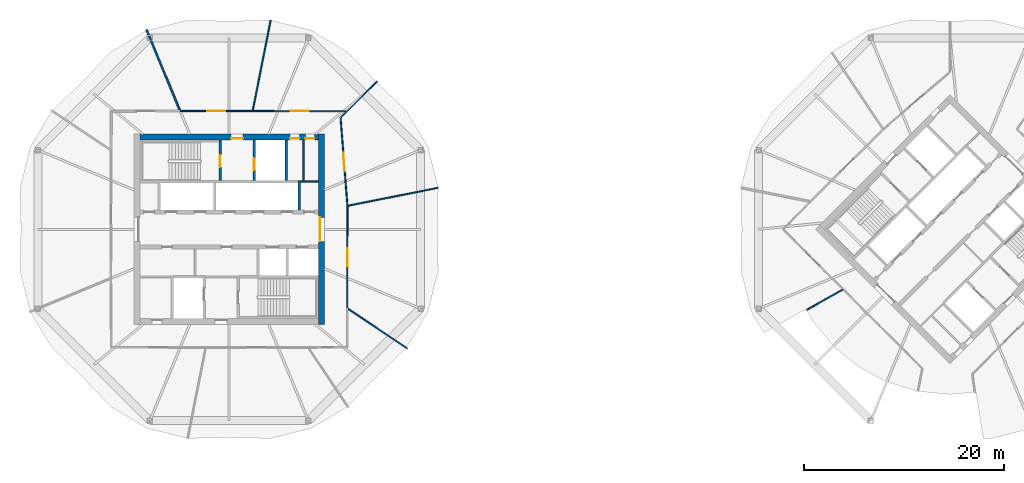
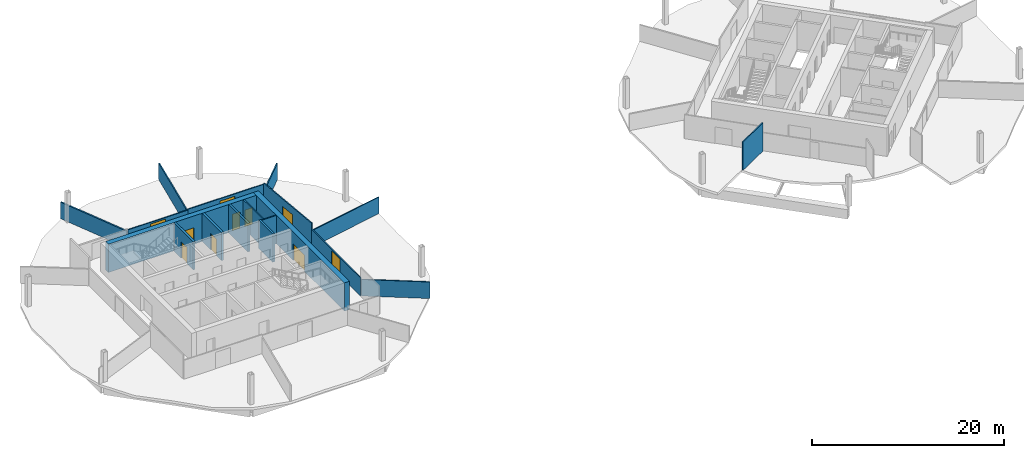
# One storey, part 6 of 10: 18 walls, 10 doors, 10 openings.
"""IFC4 building model written with IfcOpenShell, lengths in metres."""

from ifc_helpers import new_model, si_unit, direction, frame, frame_2d, origin, place, context, subcontext, project, spatial, rectangle, extrude, material, layer, layer_set, type_object, element, fill, save


model = new_model("IFC4")

# Units and contexts
model_context = context("Model", 3, precision=1e-05, world=origin(), true_north=direction((0.0, 1.0)))
body_context = subcontext(model_context, "Body", "Model", "MODEL_VIEW")
ifc_project = project(units=[si_unit("LENGTHUNIT", "METRE"), si_unit("AREAUNIT", "SQUARE_METRE"), si_unit("VOLUMEUNIT", "CUBIC_METRE"), si_unit("PLANEANGLEUNIT", "RADIAN"), si_unit("MASSUNIT", "GRAM", prefix="KILO")], contexts=[model_context])

# Site, building, storey
site_placement = place(None, origin())
site = spatial("IfcSite", under=ifc_project, at=site_placement, CompositionType="ELEMENT")
building_placement = place(site_placement, origin())
building = spatial("IfcBuilding", under=site, at=building_placement, Name="Ogive Gate Towers", CompositionType="ELEMENT")
storey_placement = place(building_placement, frame((0.0, 0.0, 212.39990234375)))
storey = spatial("IfcBuildingStorey", under=building, at=storey_placement, Name="L51", CompositionType="ELEMENT", Elevation=212.39990234375)

# Wall
ifc_material_1 = material(Name="Gypsum board acoustic partition")
ifc_layer_1 = layer(ifc_material_1, 0.175048828125)
ifc_layer_set_1 = layer_set([ifc_layer_1], Name="Acoustic partition 175")
wall_type_1 = type_object("IfcWallType", Name="Acoustic partition 175", PredefinedType="PARTITIONING", material=ifc_layer_set_1)
wall_1_placement = place(storey_placement, frame((-44.263427734375, 19.949462890625, 0.0), z_axis=(0.0, 0.0, 1.0), x_axis=(0.382684990013, -0.923878887311, 0.0)))
element("IfcWall", 1, at=wall_1_placement, inside=storey, type_object=wall_type_1, Name="Partition T1-L51-004", PredefinedType="PARTITIONING", context=body_context, shape_type="SweptSolid", body=[
    extrude(rectangle(XDim=8.714599609375, YDim=0.175048828125, at=frame_2d((4.357421875, 0.0))), origin(), (0.0, 0.0, 1.0), 2.10009765625),
])

# Wall, openings, doors
ifc_material_2 = material(Name="Concrete C60/75", Category="concrete")
ifc_layer_2 = layer(ifc_material_2, 0.60009765625)
ifc_layer_set_2 = layer_set([ifc_layer_2], Name="Core wall 600 mm")
wall_type_2 = type_object("IfcWallType", Name="Core wall 600 mm", PredefinedType="SHEAR", material=ifc_layer_set_2)
wall_2_placement = place(storey_placement, frame((-44.89990234375, 9.199951171875, 0.0), z_axis=(0.0, 0.0, 1.0), x_axis=(1.0, 0.0, 0.0)))
wall_2 = element("IfcWall", 2, at=wall_2_placement, inside=storey, type_object=wall_type_2, Name="T1 L51 Core wall 600 mm", PredefinedType="SHEAR", context=body_context, shape_type="SweptSolid", body=[
    extrude(rectangle(XDim=17.7998046875, YDim=0.60009765625, at=frame_2d((8.89990234375, 0.0))), origin(), (0.0, 0.0, 1.0), 3.60009765625),
])
opening_1_placement = place(wall_2_placement, frame((9.10009765625, 0.0, 0.0)))
opening_1 = element("IfcOpeningElement", 3, at=opening_1_placement, cuts=wall_2, Name="Opening KD-T1-L51-18", PredefinedType="OPENING", context=body_context, shape_type="SweptSolid", body=[
    extrude(rectangle(XDim=1.199951171875, YDim=2.10009765625, at=frame_2d((0.60009765625, 1.050048828125))), frame((0.0, 0.31005859375, 0.0), z_axis=(0.0, -1.0, 0.0), x_axis=(1.0, 0.0, 0.0)), (0.0, 0.0, 1.0), 0.6201171875),
])
opening_2_placement = place(wall_2_placement, frame((15.0, 0.0, 0.0)))
opening_2 = element("IfcOpeningElement", 4, at=opening_2_placement, cuts=wall_2, Name="Opening KD-T1-L51-20", PredefinedType="OPENING", context=body_context, shape_type="SweptSolid", body=[
    extrude(rectangle(XDim=0.89990234375, YDim=2.10009765625, at=frame_2d((0.449951171875, 1.050048828125))), frame((0.0, 0.31005859375, 0.0), z_axis=(0.0, -1.0, 0.0), x_axis=(1.0, 0.0, 0.0)), (0.0, 0.0, 1.0), 0.6201171875),
])
opening_3_placement = place(wall_2_placement, frame((16.5, 0.0, 0.0)))
opening_3 = element("IfcOpeningElement", 5, at=opening_3_placement, cuts=wall_2, Name="Opening KD-T1-L51-21", PredefinedType="OPENING", context=body_context, shape_type="SweptSolid", body=[
    extrude(rectangle(XDim=0.89990234375, YDim=2.10009765625, at=frame_2d((0.449951171875, 1.050048828125))), frame((0.0, 0.31005859375, 0.0), z_axis=(0.0, -1.0, 0.0), x_axis=(1.0, 0.0, 0.0)), (0.0, 0.0, 1.0), 0.6201171875),
])
ifc_material_3 = material(Name="Timber door", Category="wood")
door_type_1 = type_object("IfcDoorType", Name="Core WC door 900 x 2100", OperationType="NOTDEFINED", PredefinedType="DOOR", material=ifc_material_3)
door_1_placement = place(opening_2_placement, origin())
door_1 = element("IfcDoor", 6, at=door_1_placement, inside=storey, type_object=door_type_1, Name="T1 L51 Core door", OperationType="SINGLE_SWING_LEFT", OverallHeight=2.10009765625, OverallWidth=0.89990234375, PredefinedType="DOOR", context=body_context, shape_type="SweptSolid", body=[
    extrude(rectangle(XDim=0.89990234375, YDim=2.10009765625, at=frame_2d((0.449951171875, 1.050048828125))), frame((0.0, -0.125, 0.0), z_axis=(0.0, -1.0, 0.0), x_axis=(1.0, 0.0, 0.0)), (0.0, 0.0, 1.0), 0.050048828125),
])
fill(opening_2, door_1)
door_2_placement = place(opening_3_placement, origin())
door_2 = element("IfcDoor", 7, at=door_2_placement, inside=storey, type_object=door_type_1, Name="T1 L51 Core door", OperationType="SINGLE_SWING_RIGHT", OverallHeight=2.10009765625, OverallWidth=0.89990234375, PredefinedType="DOOR", context=body_context, shape_type="SweptSolid", body=[
    extrude(rectangle(XDim=0.89990234375, YDim=2.10009765625, at=frame_2d((0.449951171875, 1.050048828125))), frame((0.0, -0.125, 0.0), z_axis=(0.0, -1.0, 0.0), x_axis=(1.0, 0.0, 0.0)), (0.0, 0.0, 1.0), 0.050048828125),
])
fill(opening_3, door_2)
ifc_material_4 = material(Name="Steel fire door", Category="steel")
door_type_2 = type_object("IfcDoorType", Name="Core door FD60S 1200 x 2100", OperationType="NOTDEFINED", PredefinedType="DOOR", material=ifc_material_4)
door_3_placement = place(opening_1_placement, origin())
door_3 = element("IfcDoor", 8, at=door_3_placement, inside=storey, type_object=door_type_2, Name="T1 L51 Fire-fighting lobby door", OperationType="SINGLE_SWING_LEFT", OverallHeight=2.10009765625, OverallWidth=1.199951171875, PredefinedType="DOOR", context=body_context, shape_type="SweptSolid", body=[
    extrude(rectangle(XDim=1.199951171875, YDim=2.10009765625, at=frame_2d((0.60009765625, 1.050048828125))), frame((0.0, -0.125, 0.0), z_axis=(0.0, -1.0, 0.0), x_axis=(1.0, 0.0, 0.0)), (0.0, 0.0, 1.0), 0.050048828125),
])
fill(opening_1, door_3)

# Wall, opening, door
wall_3_placement = place(storey_placement, frame((-26.800048828125, -9.5, 0.0), z_axis=(0.0, 0.0, 1.0), x_axis=(0.0, 1.0, 0.0)))
wall_3 = element("IfcWall", 9, at=wall_3_placement, inside=storey, type_object=wall_type_2, Name="T1 L51 Core wall 600 mm", PredefinedType="SHEAR", context=body_context, shape_type="SweptSolid", body=[
    extrude(rectangle(XDim=19.0, YDim=0.60009765625, at=frame_2d((9.5, 0.0))), origin(), (0.0, 0.0, 1.0), 3.60009765625),
])
opening_4_placement = place(wall_3_placement, frame((8.300048828125, 0.0, 0.0)))
opening_4 = element("IfcOpeningElement", 10, at=opening_4_placement, cuts=wall_3, Name="Opening KD-T1-L51-02", PredefinedType="OPENING", context=body_context, shape_type="SweptSolid", body=[
    extrude(rectangle(XDim=2.39990234375, YDim=2.10009765625, at=frame_2d((1.199951171875, 1.050048828125))), frame((0.0, 0.31005859375, 0.0), z_axis=(0.0, -1.0, 0.0), x_axis=(1.0, 0.0, 0.0)), (0.0, 0.0, 1.0), 0.6201171875),
])
door_type_3 = type_object("IfcDoorType", Name="Core double door FD60S 2400 x 2100", OperationType="DOUBLE_DOOR_SINGLE_SWING", PredefinedType="DOOR", material=ifc_material_4)
door_4_placement = place(opening_4_placement, origin())
door_4 = element("IfcDoor", 11, at=door_4_placement, inside=storey, type_object=door_type_3, Name="T1 L51 Core door double", OperationType="DOUBLE_DOOR_SINGLE_SWING", OverallHeight=2.10009765625, OverallWidth=2.39990234375, PredefinedType="DOOR", context=body_context, shape_type="SweptSolid", body=[
    extrude(rectangle(XDim=2.39990234375, YDim=2.10009765625, at=frame_2d((1.199951171875, 1.050048828125))), frame((0.0, 0.1748046875, 0.0), z_axis=(0.0, -1.0, 0.0), x_axis=(1.0, 0.0, 0.0)), (0.0, 0.0, 1.0), 0.050048828125),
])
fill(opening_4, door_4)

# Walls
ifc_material_5 = material(Name="Gypsum board partition")
ifc_layer_3 = layer(ifc_material_5, 0.125)
ifc_layer_set_3 = layer_set([ifc_layer_3], Name="Partition 125")
wall_type_3 = type_object("IfcWallType", Name="Partition 125", PredefinedType="PARTITIONING", material=ifc_layer_set_3)
wall_4_placement = place(storey_placement, frame((-15.108154296875, 4.147216796875, 0.0), z_axis=(0.0, 0.0, 1.0), x_axis=(-0.980858428696, -0.194722219727, 0.0)))
element("IfcWall", 12, at=wall_4_placement, inside=storey, type_object=wall_type_3, Name="Partition T1-L51-001", PredefinedType="PARTITIONING", context=body_context, shape_type="SweptSolid", body=[
    extrude(rectangle(XDim=9.196533203125, YDim=0.125, at=frame_2d((4.59814453125, 0.0))), origin(), (0.0, 0.0, 1.0), 2.10009765625),
])
wall_5_placement = place(storey_placement, frame((-21.197265625, 14.802734375, 0.0), z_axis=(0.0, 0.0, 1.0), x_axis=(-0.707106781187, -0.707106781187, 0.0)))
element("IfcWall", 13, at=wall_5_placement, inside=storey, type_object=wall_type_3, Name="Partition T1-L51-002", PredefinedType="PARTITIONING", context=body_context, shape_type="SweptSolid", body=[
    extrude(rectangle(XDim=5.131591796875, YDim=0.125, at=frame_2d((2.56591796875, 0.0))), origin(), (0.0, 0.0, 1.0), 2.10009765625),
])
wall_6_placement = place(storey_placement, frame((-31.852783203125, 20.891845703125, 0.0), z_axis=(0.0, 0.0, 1.0), x_axis=(-0.194722219727, -0.980858428696, 0.0)))
element("IfcWall", 14, at=wall_6_placement, inside=storey, type_object=wall_type_3, Name="Partition T1-L51-003", PredefinedType="PARTITIONING", context=body_context, shape_type="SweptSolid", body=[
    extrude(rectangle(XDim=9.196533203125, YDim=0.125, at=frame_2d((4.59814453125, 0.0))), origin(), (0.0, 0.0, 1.0), 2.10009765625),
])
wall_7_placement = place(storey_placement, frame((-18.18896484375, -11.9111328125, 0.0), z_axis=(0.0, 0.0, 1.0), x_axis=(-0.831237865439, 0.555916910213, 0.0)))
element("IfcWall", 15, at=wall_7_placement, inside=storey, type_object=wall_type_3, Name="Partition T1-L51-009", PredefinedType="PARTITIONING", context=body_context, shape_type="SweptSolid", body=[
    extrude(rectangle(XDim=7.173828125, YDim=0.125, at=frame_2d((3.5869140625, 0.0))), origin(), (0.0, 0.0, 1.0), 2.10009765625),
])

# Wall, opening, door
wall_8_placement = place(storey_placement, frame((-24.2041015625, -7.888427734375, 0.0), z_axis=(0.0, 0.0, 1.0), x_axis=(0.001383784522, 0.99999904257, 0.0)))
wall_8 = element("IfcWall", 16, at=wall_8_placement, inside=storey, type_object=wall_type_3, Name="Partition T1-L51-010", PredefinedType="PARTITIONING", context=body_context, shape_type="SweptSolid", body=[
    extrude(rectangle(XDim=10.23291015625, YDim=0.125, at=frame_2d((5.116455078125, 0.0))), origin(), (0.0, 0.0, 1.0), 2.300048828125),
])
opening_5_placement = place(wall_8_placement, frame((4.216064453125, 0.0, 0.0)))
opening_5 = element("IfcOpeningElement", 17, at=opening_5_placement, cuts=wall_8, Name="Opening T1-L51-D01", PredefinedType="OPENING", context=body_context, shape_type="SweptSolid", body=[
    extrude(rectangle(XDim=1.800048828125, YDim=2.10009765625, at=frame_2d((0.89990234375, 1.050048828125))), frame((0.0, 0.072509765625, 0.0), z_axis=(0.0, -1.0, 0.0), x_axis=(1.0, 0.0, 0.0)), (0.0, 0.0, 1.0), 0.14501953125),
])
door_type_4 = type_object("IfcDoorType", Name="Door pair 1800", OperationType="NOTDEFINED", PredefinedType="DOOR", material=ifc_material_3)
door_5_placement = place(opening_5_placement, origin())
door_5 = element("IfcDoor", 18, at=door_5_placement, inside=storey, type_object=door_type_4, Name="Door T1-L51-D01", OperationType="DOUBLE_DOOR_DOUBLE_SWING", OverallHeight=2.10009765625, OverallWidth=1.800048828125, PredefinedType="DOOR", context=body_context, shape_type="SweptSolid", body=[
    extrude(rectangle(XDim=1.800048828125, YDim=2.10009765625, at=frame_2d((0.89990234375, 1.050048828125))), frame((0.0, 0.02490234375, 0.0), z_axis=(0.0, -1.0, 0.0), x_axis=(1.0, 0.0, 0.0)), (0.0, 0.0, 1.0), 0.050048828125),
])
fill(opening_5, door_5)

wall_9_placement = place(storey_placement, frame((-24.18994140625, 2.344482421875, 0.0), z_axis=(0.0, 0.0, 1.0), x_axis=(-0.077190153125, 0.997016389163, 0.0)))
wall_9 = element("IfcWall", 19, at=wall_9_placement, inside=storey, type_object=wall_type_3, Name="Partition T1-L51-011", PredefinedType="PARTITIONING", context=body_context, shape_type="SweptSolid", body=[
    extrude(rectangle(XDim=8.811767578125, YDim=0.125, at=frame_2d((4.40576171875, 0.0))), origin(), (0.0, 0.0, 1.0), 3.050048828125),
])
opening_6_placement = place(wall_9_placement, frame((3.506103515625, 0.0, 0.0)))
opening_6 = element("IfcOpeningElement", 20, at=opening_6_placement, cuts=wall_9, Name="Opening T1-L51-D02", PredefinedType="OPENING", context=body_context, shape_type="SweptSolid", body=[
    extrude(rectangle(XDim=1.800048828125, YDim=2.10009765625, at=frame_2d((0.89990234375, 1.050048828125))), frame((0.0, 0.072509765625, 0.0), z_axis=(0.0, -1.0, 0.0), x_axis=(1.0, 0.0, 0.0)), (0.0, 0.0, 1.0), 0.14501953125),
])
door_6_placement = place(opening_6_placement, origin())
door_6 = element("IfcDoor", 21, at=door_6_placement, inside=storey, type_object=door_type_4, Name="Door T1-L51-D02", OperationType="DOUBLE_DOOR_DOUBLE_SWING", OverallHeight=2.10009765625, OverallWidth=1.800048828125, PredefinedType="DOOR", context=body_context, shape_type="SweptSolid", body=[
    extrude(rectangle(XDim=1.800048828125, YDim=2.10009765625, at=frame_2d((0.89990234375, 1.050048828125))), frame((0.0, 0.02490234375, 0.0), z_axis=(0.0, -1.0, 0.0), x_axis=(1.0, 0.0, 0.0)), (0.0, 0.0, 1.0), 0.050048828125),
])
fill(opening_6, door_6)

wall_10_placement = place(storey_placement, frame((-24.380126953125, 11.780517578125, 0.0), z_axis=(0.0, 0.0, 1.0), x_axis=(-0.999994928305, 0.003184864875, 0.0)))
wall_10 = element("IfcWall", 22, at=wall_10_placement, inside=storey, type_object=wall_type_3, Name="Partition T1-L51-012", PredefinedType="PARTITIONING", context=body_context, shape_type="SweptSolid", body=[
    extrude(rectangle(XDim=9.275390625, YDim=0.125, at=frame_2d((4.6376953125, 0.0))), origin(), (0.0, 0.0, 1.0), 2.400146484375),
])
opening_7_placement = place(wall_10_placement, frame((3.657958984375, 0.0, 0.0)))
opening_7 = element("IfcOpeningElement", 23, at=opening_7_placement, cuts=wall_10, Name="Opening T1-L51-D03", PredefinedType="OPENING", context=body_context, shape_type="SweptSolid", body=[
    extrude(rectangle(XDim=1.800048828125, YDim=2.10009765625, at=frame_2d((0.89990234375, 1.050048828125))), frame((0.0, 0.072509765625, 0.0), z_axis=(0.0, -1.0, 0.0), x_axis=(1.0, 0.0, 0.0)), (0.0, 0.0, 1.0), 0.14501953125),
])
door_7_placement = place(opening_7_placement, origin())
door_7 = element("IfcDoor", 24, at=door_7_placement, inside=storey, type_object=door_type_4, Name="Door T1-L51-D03", OperationType="DOUBLE_DOOR_DOUBLE_SWING", OverallHeight=2.10009765625, OverallWidth=1.800048828125, PredefinedType="DOOR", context=body_context, shape_type="SweptSolid", body=[
    extrude(rectangle(XDim=1.800048828125, YDim=2.10009765625, at=frame_2d((0.89990234375, 1.050048828125))), frame((0.0, 0.02490234375, 0.0), z_axis=(0.0, -1.0, 0.0), x_axis=(1.0, 0.0, 0.0)), (0.0, 0.0, 1.0), 0.050048828125),
])
fill(opening_7, door_7)

wall_11_placement = place(storey_placement, frame((-33.655517578125, 11.81005859375, 0.0), z_axis=(0.0, 0.0, 1.0), x_axis=(-0.99999948823, 0.001011701502, 0.0)))
wall_11 = element("IfcWall", 25, at=wall_11_placement, inside=storey, type_object=wall_type_3, Name="Partition T1-L51-013", PredefinedType="PARTITIONING", context=body_context, shape_type="SweptSolid", body=[
    extrude(rectangle(XDim=7.239501953125, YDim=0.125, at=frame_2d((3.61962890625, 0.0))), origin(), (0.0, 0.0, 1.0), 2.300048828125),
])
opening_8_placement = place(wall_11_placement, frame((2.719970703125, 0.0, 0.0)))
opening_8 = element("IfcOpeningElement", 26, at=opening_8_placement, cuts=wall_11, Name="Opening T1-L51-D04", PredefinedType="OPENING", context=body_context, shape_type="SweptSolid", body=[
    extrude(rectangle(XDim=1.800048828125, YDim=2.10009765625, at=frame_2d((0.89990234375, 1.050048828125))), frame((0.0, 0.072509765625, 0.0), z_axis=(0.0, -1.0, 0.0), x_axis=(1.0, 0.0, 0.0)), (0.0, 0.0, 1.0), 0.14501953125),
])
door_8_placement = place(opening_8_placement, origin())
door_8 = element("IfcDoor", 27, at=door_8_placement, inside=storey, type_object=door_type_4, Name="Door T1-L51-D04", OperationType="DOUBLE_DOOR_DOUBLE_SWING", OverallHeight=2.10009765625, OverallWidth=1.800048828125, PredefinedType="DOOR", context=body_context, shape_type="SweptSolid", body=[
    extrude(rectangle(XDim=1.800048828125, YDim=2.10009765625, at=frame_2d((0.89990234375, 1.050048828125))), frame((0.0, 0.02490234375, 0.0), z_axis=(0.0, -1.0, 0.0), x_axis=(1.0, 0.0, 0.0)), (0.0, 0.0, 1.0), 0.050048828125),
])
fill(opening_8, door_8)

# Walls
wall_12_placement = place(storey_placement, frame((21.684326171875, -8.049072265625, 0.0), z_axis=(0.0, 0.0, 1.0), x_axis=(0.871669113122, 0.490094845136, 0.0)))
element("IfcWall", 28, at=wall_12_placement, inside=storey, type_object=wall_type_3, Name="Partition T2-L51-006", PredefinedType="PARTITIONING", context=body_context, shape_type="SweptSolid", body=[
    extrude(rectangle(XDim=4.1103515625, YDim=0.125, at=frame_2d((2.05517578125, 0.0))), origin(), (0.0, 0.0, 1.0), 3.60009765625),
])
ifc_layer_4 = layer(ifc_material_5, 0.14990234375)
ifc_layer_set_4 = layer_set([ifc_layer_4], Name="Room partition 150 mm")
wall_type_4 = type_object("IfcWallType", Name="Room partition 150 mm", PredefinedType="PARTITIONING", material=ifc_layer_set_4)
wall_13_placement = place(storey_placement, frame((-28.875, 4.75, 0.0), z_axis=(0.0, 0.0, 1.0), x_axis=(1.0, 0.0, 0.0)))
element("IfcWall", 29, at=wall_13_placement, inside=storey, type_object=wall_type_4, Name="T1 L51 Room partition 150 mm", PredefinedType="PARTITIONING", context=body_context, shape_type="SweptSolid", body=[
    extrude(rectangle(XDim=1.77490234375, YDim=0.14990234375, at=frame_2d((0.887451171875, 0.0))), origin(), (0.0, 0.0, 1.0), 3.60009765625),
])
wall_14_placement = place(storey_placement, frame((-28.60009765625, 4.824951171875, 0.0), z_axis=(0.0, 0.0, 1.0), x_axis=(0.0, 1.0, 0.0)))
element("IfcWall", 30, at=wall_14_placement, inside=storey, type_object=wall_type_4, Name="T1 L51 Room partition 150 mm", PredefinedType="PARTITIONING", context=body_context, shape_type="SweptSolid", body=[
    extrude(rectangle(XDim=4.074951171875, YDim=0.14990234375, at=frame_2d((2.03759765625, 0.0))), origin(), (0.0, 0.0, 1.0), 3.60009765625),
])

# Wall, opening, door
ifc_layer_5 = layer(ifc_material_2, 0.25)
ifc_layer_set_5 = layer_set([ifc_layer_5], Name="Shaft wall 250 mm")
wall_type_5 = type_object("IfcWallType", Name="Shaft wall 250 mm", PredefinedType="SHEAR", material=ifc_layer_set_5)
wall_15_placement = place(storey_placement, frame((-36.89990234375, 4.875, 0.0), z_axis=(0.0, 0.0, 1.0), x_axis=(0.0, 1.0, 0.0)))
wall_15 = element("IfcWall", 31, at=wall_15_placement, inside=storey, type_object=wall_type_5, Name="T1 L51 Shaft wall 250 mm", PredefinedType="SHEAR", context=body_context, shape_type="SweptSolid", body=[
    extrude(rectangle(XDim=4.02490234375, YDim=0.25, at=frame_2d((2.012451171875, 0.0))), origin(), (0.0, 0.0, 1.0), 3.60009765625),
])
opening_9_placement = place(wall_15_placement, frame((1.324951171875, 0.0, 0.0)))
opening_9 = element("IfcOpeningElement", 32, at=opening_9_placement, cuts=wall_15, Name="Opening KD-T1-L51-16", PredefinedType="OPENING", context=body_context, shape_type="SweptSolid", body=[
    extrude(rectangle(XDim=1.199951171875, YDim=2.10009765625, at=frame_2d((0.60009765625, 1.050048828125))), frame((0.0, 0.135009765625, 0.0), z_axis=(0.0, -1.0, 0.0), x_axis=(1.0, 0.0, 0.0)), (0.0, 0.0, 1.0), 0.27001953125),
])
door_9_placement = place(opening_9_placement, origin())
door_9 = element("IfcDoor", 33, at=door_9_placement, inside=storey, type_object=door_type_2, Name="T1 L51 Stair door", OperationType="SINGLE_SWING_LEFT", OverallHeight=2.10009765625, OverallWidth=1.199951171875, PredefinedType="DOOR", context=body_context, shape_type="SweptSolid", body=[
    extrude(rectangle(XDim=1.199951171875, YDim=2.10009765625, at=frame_2d((0.60009765625, 1.050048828125))), frame((0.0, 0.02490234375, 0.0), z_axis=(0.0, -1.0, 0.0), x_axis=(1.0, 0.0, 0.0)), (0.0, 0.0, 1.0), 0.050048828125),
])
fill(opening_9, door_9)

wall_16_placement = place(storey_placement, frame((-33.5, 4.875, 0.0), z_axis=(0.0, 0.0, 1.0), x_axis=(0.0, 1.0, 0.0)))
wall_16 = element("IfcWall", 34, at=wall_16_placement, inside=storey, type_object=wall_type_5, Name="T1 L51 Shaft wall 250 mm", PredefinedType="SHEAR", context=body_context, shape_type="SweptSolid", body=[
    extrude(rectangle(XDim=4.02490234375, YDim=0.25, at=frame_2d((2.012451171875, 0.0))), origin(), (0.0, 0.0, 1.0), 3.60009765625),
])
opening_10_placement = place(wall_16_placement, frame((1.02490234375, 0.0, 0.0)))
opening_10 = element("IfcOpeningElement", 35, at=opening_10_placement, cuts=wall_16, Name="Opening LD-T1-L51-12", PredefinedType="OPENING", context=body_context, shape_type="SweptSolid", body=[
    extrude(rectangle(XDim=1.199951171875, YDim=2.10009765625, at=frame_2d((0.60009765625, 1.050048828125))), frame((0.0, 0.135009765625, 0.0), z_axis=(0.0, -1.0, 0.0), x_axis=(1.0, 0.0, 0.0)), (0.0, 0.0, 1.0), 0.27001953125),
])
ifc_material_6 = material(Name="Stainless steel landing door", Category="steel")
door_type_5 = type_object("IfcDoorType", Name="Landing door 1200 x 2100", OperationType="SLIDING_TO_LEFT", PredefinedType="DOOR", material=ifc_material_6)
door_10_placement = place(opening_10_placement, origin())
door_10 = element("IfcDoor", 36, at=door_10_placement, inside=storey, type_object=door_type_5, Name="T1 L51 Lift landing door FF1", OperationType="SLIDING_TO_LEFT", OverallHeight=2.10009765625, OverallWidth=1.199951171875, PredefinedType="DOOR", context=body_context, shape_type="SweptSolid", body=[
    extrude(rectangle(XDim=1.199951171875, YDim=2.10009765625, at=frame_2d((0.60009765625, 1.050048828125))), frame((0.0, 0.02490234375, 0.0), z_axis=(0.0, -1.0, 0.0), x_axis=(1.0, 0.0, 0.0)), (0.0, 0.0, 1.0), 0.050048828125),
])
fill(opening_10, door_10)

# Walls
wall_17_placement = place(storey_placement, frame((-30.300048828125, 4.875, 0.0), z_axis=(0.0, 0.0, 1.0), x_axis=(0.0, 1.0, 0.0)))
element("IfcWall", 37, at=wall_17_placement, inside=storey, type_object=wall_type_5, Name="T1 L51 Shaft wall 250 mm", PredefinedType="SHEAR", context=body_context, shape_type="SweptSolid", body=[
    extrude(rectangle(XDim=4.02490234375, YDim=0.25, at=frame_2d((2.012451171875, 0.0))), origin(), (0.0, 0.0, 1.0), 3.60009765625),
])
wall_18_placement = place(storey_placement, frame((-29.0, 1.949951171875, 0.0), z_axis=(0.0, 0.0, 1.0), x_axis=(0.0, 1.0, 0.0)))
element("IfcWall", 38, at=wall_18_placement, inside=storey, type_object=wall_type_5, Name="T1 L51 Shaft wall 250 mm", PredefinedType="SHEAR", context=body_context, shape_type="SweptSolid", body=[
    extrude(rectangle(XDim=2.925048828125, YDim=0.25, at=frame_2d((1.46240234375, 0.0))), origin(), (0.0, 0.0, 1.0), 3.60009765625),
])

save(model, "model.ifc")
